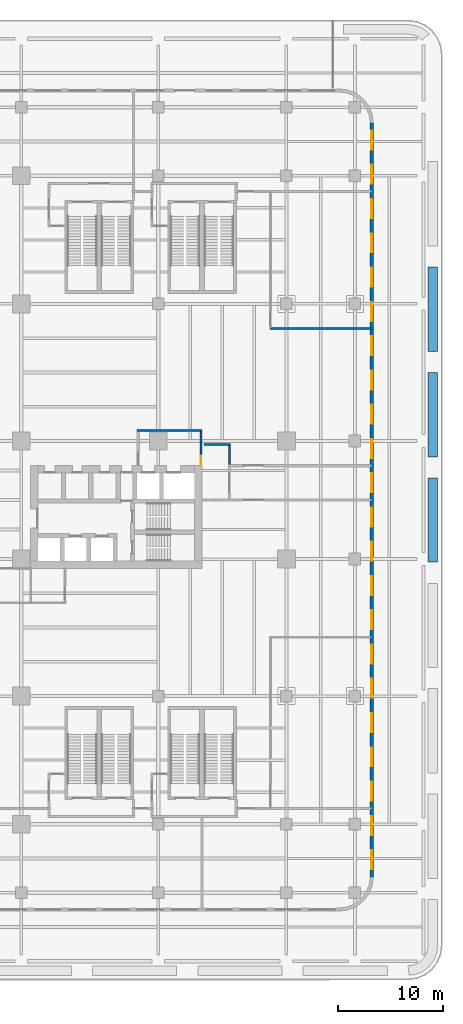
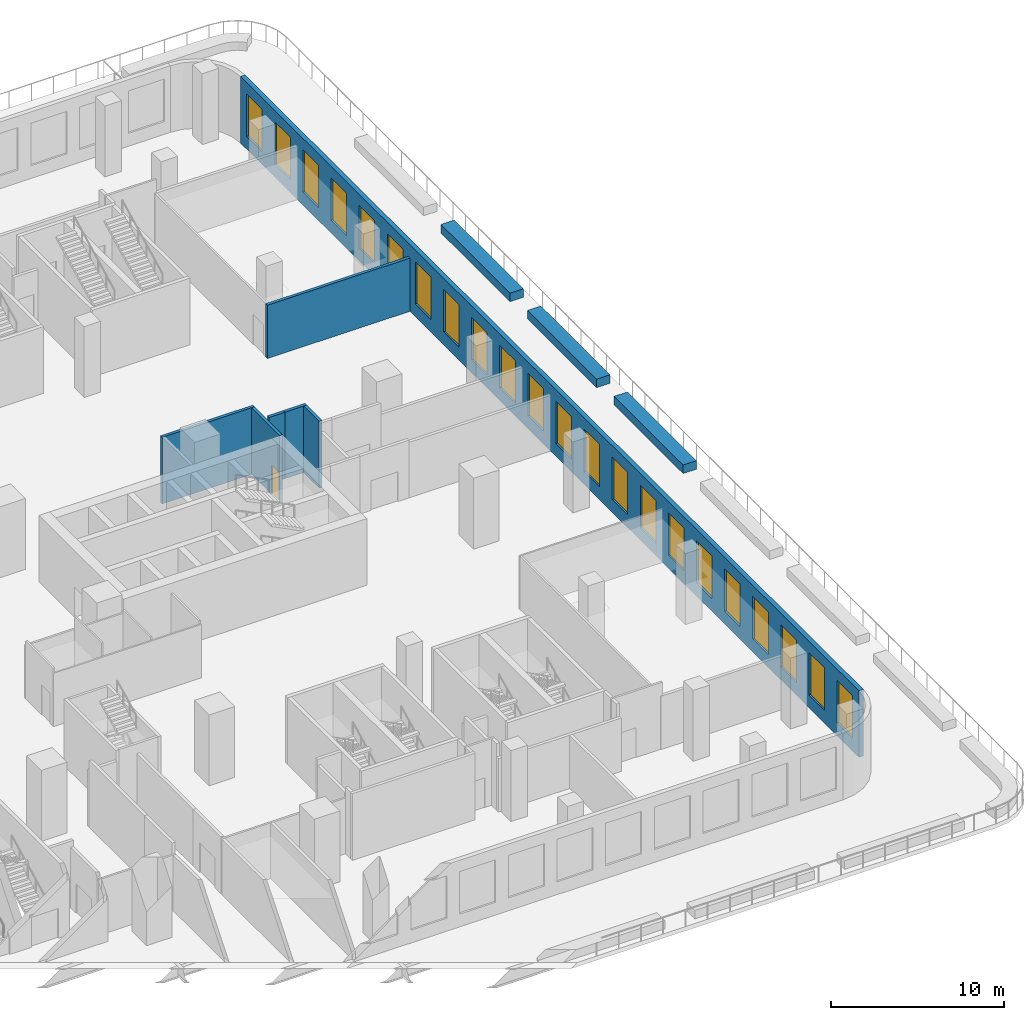
# One storey, part 12 of 18: 22 windows, 10 walls, 1 door, 23 openings.
"""IFC4 building model written with IfcOpenShell, lengths in metres."""

import ifcopenshell
import ifcopenshell.guid

model = None  # the IFC model being written
_history = None  # IfcOwnerHistory: only IFC2X3 demands one
_inside = {}  # id of a spatial element -> (the spatial element, [elements in it])
_under = {}  # id of a project, library or spatial element -> (it, [spatial elements below it])
_declared = {}  # id of a project -> (the project, [libraries it declares])
_typed = {}  # id of a type object -> (the type object, [elements of that type])
_made_of = {}  # id of a material, layer set ... -> (it, [elements and type objects made of it])


def new_model(schema):
    """Start an empty IFC model of exactly this schema.

    Asked for "IFC4X3", IfcOpenShell would pick the latest addendum, in which some entities
    have other attributes; the version numbers below select the first issue.
    IFC2X3 requires an IfcOwnerHistory on every rooted entity: one is made here for all.
    """
    global model, _history
    if schema == "IFC4X3":
        model = ifcopenshell.file(schema_version=(4, 3, 0, 0))
    else:
        model = ifcopenshell.file(schema=schema)
    _inside.clear()
    _under.clear()
    _declared.clear()
    _typed.clear()
    _made_of.clear()
    _history = None
    if model.schema == "IFC2X3":
        org = make("IfcOrganization", Name="unknown")
        user = make(
            "IfcPersonAndOrganization",
            ThePerson=make("IfcPerson", FamilyName="unknown"),
            TheOrganization=org,
        )
        app = make(
            "IfcApplication",
            ApplicationDeveloper=org,
            Version="unknown",
            ApplicationFullName="unknown",
            ApplicationIdentifier="unknown",
        )
        _history = make(
            "IfcOwnerHistory",
            OwningUser=user,
            OwningApplication=app,
            ChangeAction="ADDED",
            CreationDate=0,
        )
    return model


def make(cls, **values):
    """One entity of the class cls with the attributes given. An attribute that is None is left unset."""
    return model.create_entity(
        cls, **{name: value for name, value in values.items() if value is not None}
    )


def rooted(cls, **values):
    """An entity with a GlobalId (a new one), such as an element, a storey or a relation."""
    return make(cls, GlobalId=ifcopenshell.guid.new(), OwnerHistory=_history, **values)


def si_unit(unit_type, name, prefix=None):
    """IfcSIUnit, for example si_unit("LENGTHUNIT", "METRE", prefix="MILLI")."""
    return make("IfcSIUnit", UnitType=unit_type, Prefix=prefix, Name=name)


def assignment(units):
    """IfcUnitAssignment: the units of a project."""
    return None if units is None else make("IfcUnitAssignment", Units=units)


def point(xyz):
    """IfcCartesianPoint."""
    return None if xyz is None else make("IfcCartesianPoint", Coordinates=xyz)


def direction(xyz):
    """IfcDirection."""
    return None if xyz is None else make("IfcDirection", DirectionRatios=xyz)


def frame(location, z_axis=None, x_axis=None):
    """IfcAxis2Placement3D, a coordinate frame: its origin and axes. An axis left out is left unset."""
    return make(
        "IfcAxis2Placement3D",
        Location=point(location),
        Axis=direction(z_axis),
        RefDirection=direction(x_axis),
    )


def frame_2d(location, x_axis=None):
    """IfcAxis2Placement2D, a coordinate frame in the plane: its origin and x axis."""
    return make(
        "IfcAxis2Placement2D", Location=point(location), RefDirection=direction(x_axis)
    )


def origin():
    """The frame at (0, 0, 0) with its axes left unset."""
    return frame((0.0, 0.0, 0.0))


def place(relative_to, where):
    """IfcLocalPlacement: puts the frame where relative to a parent placement (None: the world)."""
    return make(
        "IfcLocalPlacement", PlacementRelTo=relative_to, RelativePlacement=where
    )


def context(
    kind, dimensions, precision=None, world=None, true_north=None, identifier=None
):
    """IfcGeometricRepresentationContext, for example the 3D "Model" context."""
    return make(
        "IfcGeometricRepresentationContext",
        ContextIdentifier=identifier,
        ContextType=kind,
        CoordinateSpaceDimension=dimensions,
        Precision=precision,
        WorldCoordinateSystem=world,
        TrueNorth=true_north,
    )


def subcontext(parent, identifier, kind, view, scale=None):
    """IfcGeometricRepresentationSubContext, for example "Body" below "Model"."""
    return make(
        "IfcGeometricRepresentationSubContext",
        ContextIdentifier=identifier,
        ContextType=kind,
        ParentContext=parent,
        TargetScale=scale,
        TargetView=view,
    )


def project(units=None, contexts=None):
    """IfcProject with its units and contexts."""
    return rooted(
        "IfcProject",
        Name="project",
        RepresentationContexts=contexts,
        UnitsInContext=assignment(units),
    )


def spatial(cls, under=None, at=None, **own):
    """A site, building, storey or space (cls), placed at a placement, below another one or the project."""
    s = rooted(cls, ObjectPlacement=at, **own)
    if under is not None:
        _under.setdefault(under.id(), (under, []))[1].append(s)
    return s


def polyline(points):
    """IfcPolyline through the points."""
    return make("IfcPolyline", Points=[point(p) for p in points])


def profile(cls, at=None, kind="AREA", **sizes):
    """A parametric profile (cls). Its sizes go by their IFC names, for example OverallWidth=200.0."""
    return make(cls, ProfileType=kind, Position=at, **sizes)


def rectangle(**sizes):
    """IfcRectangleProfileDef."""
    return profile("IfcRectangleProfileDef", **sizes)


def outline(outer, holes=None, kind="AREA"):
    """IfcArbitraryClosedProfileDef: a profile drawn as a closed curve; with holes, ...WithVoids."""
    if holes is None:
        return make("IfcArbitraryClosedProfileDef", ProfileType=kind, OuterCurve=outer)
    return make(
        "IfcArbitraryProfileDefWithVoids",
        ProfileType=kind,
        OuterCurve=outer,
        InnerCurves=holes,
    )


def extrude(swept, where, along, depth):
    """IfcExtrudedAreaSolid: the profile swept, set in the frame where, extruded along a direction by depth."""
    return make(
        "IfcExtrudedAreaSolid",
        SweptArea=swept,
        Position=where,
        ExtrudedDirection=direction(along),
        Depth=depth,
    )


def shape(context_of_items, identifier, shape_type, items):
    """IfcShapeRepresentation: the items that make up one representation, for example the "Body"."""
    return make(
        "IfcShapeRepresentation",
        ContextOfItems=context_of_items,
        RepresentationIdentifier=identifier,
        RepresentationType=shape_type,
        Items=items,
    )


def source(mapping_origin, context_of_items, identifier, shape_type, items):
    """IfcRepresentationMap: a shape defined once, which mapped items show again and again."""
    return make(
        "IfcRepresentationMap",
        MappingOrigin=mapping_origin,
        MappedRepresentation=shape(context_of_items, identifier, shape_type, items),
    )


def transform(
    local_origin,
    x_axis=None,
    y_axis=None,
    z_axis=None,
    scale=None,
    scale2=None,
    scale3=None,
    uniform=True,
):
    """IfcCartesianTransformationOperator3D, or its non-uniform kind. x_axis, y_axis, z_axis: its Axis1, 2, 3."""
    if uniform:
        return make(
            "IfcCartesianTransformationOperator3D",
            Axis1=direction(x_axis),
            Axis2=direction(y_axis),
            LocalOrigin=point(local_origin),
            Scale=scale,
            Axis3=direction(z_axis),
        )
    return make(
        "IfcCartesianTransformationOperator3DnonUniform",
        Axis1=direction(x_axis),
        Axis2=direction(y_axis),
        LocalOrigin=point(local_origin),
        Scale=scale,
        Axis3=direction(z_axis),
        Scale2=scale2,
        Scale3=scale3,
    )


def mapped(mapping_source, mapping_target):
    """IfcMappedItem: shows the shape of a source again, moved by a transform."""
    return make(
        "IfcMappedItem", MappingSource=mapping_source, MappingTarget=mapping_target
    )


def material(Name=None, Category=None):
    """IfcMaterial."""
    return make("IfcMaterial", Name=Name, Category=Category)


def layer(
    of_material, thickness, ventilated=None, Name=None, Category=None, Priority=None
):
    """IfcMaterialLayer: one layer of a wall or slab, of a material (None: an air gap)."""
    return make(
        "IfcMaterialLayer",
        Material=of_material,
        LayerThickness=thickness,
        IsVentilated=ventilated,
        Name=Name,
        Category=Category,
        Priority=Priority,
    )


def layer_set(layers, Name=None):
    """IfcMaterialLayerSet."""
    return make("IfcMaterialLayerSet", MaterialLayers=layers, LayerSetName=Name)


def made_of(thing, what):
    """Note that an element or type object is made of a material, layer set ...; save() writes the relation."""
    if what is not None:
        _made_of.setdefault(what.id(), (what, []))[1].append(thing)
    return thing


def type_object(cls, material=None, **own):
    """A type object (cls), such as IfcWallType, which elements share."""
    return made_of(rooted(cls, **own), material)


def element(
    cls,
    number,
    at=None,
    inside=None,
    cuts=None,
    type_object=None,
    material=None,
    context=None,
    identifier="Body",
    shape_type=None,
    held_by="IfcProductDefinitionShape",
    body=None,
    shapes=None,
    **own,
):
    """One element of the class cls, such as IfcWall. Its Tag is "e" and its number.

    at: its placement. inside: the storey or other place that contains it. cuts: it is an
    opening in that element (IfcRelVoidsElement). A single representation is given by context,
    identifier, shape_type and body (its items); several are given by shapes. held_by: the class
    of the entity that holds the representations. save() writes the other relations.
    """
    e = rooted(cls, Tag="e%d" % number, ObjectPlacement=at, **own)
    if body is not None:
        shapes = [shape(context, identifier, shape_type, body)]
    if shapes is not None:
        e.Representation = make(held_by, Representations=shapes)
    if inside is not None:
        _inside.setdefault(inside.id(), (inside, []))[1].append(e)
    if cuts is not None:
        rooted(
            "IfcRelVoidsElement", RelatingBuildingElement=cuts, RelatedOpeningElement=e
        )
    if type_object is not None:
        _typed.setdefault(type_object.id(), (type_object, []))[1].append(e)
    return made_of(e, material)


def fill(opening, filler):
    """IfcRelFillsElement: the door or window that sits in an opening."""
    return rooted(
        "IfcRelFillsElement",
        RelatingOpeningElement=opening,
        RelatedBuildingElement=filler,
    )


def aggregate(whole, parts):
    """IfcRelAggregates: a whole, such as a stair, and the parts it consists of."""
    return rooted("IfcRelAggregates", RelatingObject=whole, RelatedObjects=parts)


def save(model, path):
    """Write the relations noted so far, then the file.

    IfcRelAggregates (storeys below a building ...), IfcRelContainedInSpatialStructure (elements
    in a storey), IfcRelDefinesByType, IfcRelAssociatesMaterial and IfcRelDeclares: one each for
    every whole, place, type object, material and project.
    """
    for whole, parts in _under.values():
        aggregate(whole, parts)
    for where, things in _inside.values():
        rooted(
            "IfcRelContainedInSpatialStructure",
            RelatedElements=things,
            RelatingStructure=where,
        )
    for kind, things in _typed.values():
        rooted("IfcRelDefinesByType", RelatedObjects=things, RelatingType=kind)
    for what, things in _made_of.values():
        rooted("IfcRelAssociatesMaterial", RelatedObjects=things, RelatingMaterial=what)
    for by, libraries in _declared.values():
        rooted("IfcRelDeclares", RelatingContext=by, RelatedDefinitions=libraries)
    model.write(path)


model = new_model("IFC4")

# Units and contexts
model_context = context("Model", 3, precision=1e-05, world=origin(), true_north=direction((0.0, 1.0)))
body_context = subcontext(model_context, "Body", "Model", "MODEL_VIEW")
ifc_project = project(units=[si_unit("LENGTHUNIT", "METRE"), si_unit("AREAUNIT", "SQUARE_METRE"), si_unit("VOLUMEUNIT", "CUBIC_METRE"), si_unit("PLANEANGLEUNIT", "RADIAN"), si_unit("MASSUNIT", "GRAM", prefix="KILO")], contexts=[model_context])

# Site, building, storey
site_placement = place(None, origin())
site = spatial("IfcSite", under=ifc_project, at=site_placement, CompositionType="ELEMENT")
building_placement = place(site_placement, origin())
building = spatial("IfcBuilding", under=site, at=building_placement, Name="Trellis Farm Tower", CompositionType="ELEMENT")
storey_placement = place(building_placement, frame((0.0, 0.0, 14.0)))
storey = spatial("IfcBuildingStorey", under=building, at=storey_placement, Name="L02", CompositionType="ELEMENT", Elevation=14.0)

# Walls
ifc_material_1 = material(Name="Sandstone faced masonry planter", Category="masonry")
ifc_layer_1 = layer(ifc_material_1, 0.89990234375)
ifc_layer_set_1 = layer_set([ifc_layer_1], Name="TERRACE PLANTER BED 900")
wall_type_1 = type_object("IfcWallType", Name="TERRACE PLANTER BED 900", PredefinedType="USERDEFINED", material=ifc_layer_set_1)
placement = place(storey_placement, origin())
element("IfcWall", 1, at=placement, inside=storey, type_object=wall_type_1, Name="PLANTER bed", ObjectType="PLANTER", PredefinedType="USERDEFINED", context=body_context, shape_type="SweptSolid", body=[
    extrude(outline(polyline([(44.199951171875, -5.9013671875), (44.199951171875, 2.0986328125), (45.10009765625, 2.0986328125), (45.10009765625, -5.9013671875), (44.199951171875, -5.9013671875)])), origin(), (0.0, 0.0, 1.0), 0.60009765625),
])
element("IfcWall", 2, at=placement, inside=storey, type_object=wall_type_1, Name="PLANTER bed", ObjectType="PLANTER", PredefinedType="USERDEFINED", context=body_context, shape_type="SweptSolid", body=[
    extrude(outline(polyline([(44.199951171875, 4.0986328125), (44.199951171875, 12.0986328125), (45.10009765625, 12.0986328125), (45.10009765625, 4.0986328125), (44.199951171875, 4.0986328125)])), origin(), (0.0, 0.0, 1.0), 0.60009765625),
])
element("IfcWall", 3, at=placement, inside=storey, type_object=wall_type_1, Name="PLANTER bed", ObjectType="PLANTER", PredefinedType="USERDEFINED", context=body_context, shape_type="SweptSolid", body=[
    extrude(outline(polyline([(44.199951171875, 14.0986328125), (44.199951171875, 22.0986328125), (45.10009765625, 22.0986328125), (45.10009765625, 14.0986328125), (44.199951171875, 14.0986328125)])), origin(), (0.0, 0.0, 1.0), 0.60009765625),
])

# Wall, opening, door
ifc_material_2 = material(Name="Masonry blockwork", Category="masonry")
ifc_layer_2 = layer(ifc_material_2, 0.199951171875)
ifc_layer_set_2 = layer_set([ifc_layer_2], Name="FIRE LOBBY PARTITION 200 BLOCKWORK")
wall_type_2 = type_object("IfcWallType", Name="FIRE LOBBY PARTITION 200 BLOCKWORK", PredefinedType="PARTITIONING", material=ifc_layer_set_2)
shared_shape_1 = source(origin(), body_context, "Body", "SweptSolid", [
    extrude(rectangle(XDim=3.25, YDim=0.199951171875, at=frame_2d((1.625, 0.0))), origin(), (0.0, 0.0, 1.0), 4.699951171875),
])
wall_4_placement = place(storey_placement, frame((22.64990234375, 3.25, 0.0), z_axis=(0.0, 0.0, 1.0), x_axis=(0.0, 1.0, 0.0)))
wall_4 = element("IfcWall", 4, at=wall_4_placement, inside=storey, type_object=wall_type_2, Name="Fire-fighting lobby partition", PredefinedType="PARTITIONING", context=body_context, shape_type="MappedRepresentation", body=[
    mapped(shared_shape_1, transform((0.0, 0.0, 0.0))),
])
shared_shape_2 = source(origin(), body_context, "Body", "SweptSolid", [
    extrude(rectangle(XDim=0.89990234375, YDim=2.10009765625, at=frame_2d((0.449951171875, 1.050048828125))), frame((0.0, 0.110107421875, 0.0), z_axis=(0.0, -1.0, 0.0), x_axis=(1.0, 0.0, 0.0)), (0.0, 0.0, 1.0), 0.22021484375),
])
opening_1_placement = place(wall_4_placement, frame((0.050048828125, 0.0, 0.0)))
opening_1 = element("IfcOpeningElement", 5, at=opening_1_placement, cuts=wall_4, Name="Opening DC8", PredefinedType="OPENING", context=body_context, shape_type="MappedRepresentation", body=[
    mapped(shared_shape_2, transform((0.0, 0.0, 0.0))),
])
ifc_material_3 = material(Name="Steel", Category="steel")
door_type = type_object("IfcDoorType", Name="CORE FIRE DOOR 900 X 2100", OperationType="NOTDEFINED", PredefinedType="DOOR", material=ifc_material_3)
shared_shape_3 = source(origin(), body_context, "Body", "SweptSolid", [
    extrude(rectangle(XDim=0.89990234375, YDim=2.10009765625, at=frame_2d((0.449951171875, 1.050048828125))), frame((0.0, 0.02490234375, 0.0), z_axis=(0.0, -1.0, 0.0), x_axis=(1.0, 0.0, 0.0)), (0.0, 0.0, 1.0), 0.050048828125),
])
door_placement = place(opening_1_placement, origin())
door = element("IfcDoor", 6, at=door_placement, inside=storey, type_object=door_type, Name="Core door", OperationType="SINGLE_SWING_RIGHT", OverallHeight=2.10009765625, OverallWidth=0.89990234375, PredefinedType="DOOR", context=body_context, shape_type="MappedRepresentation", body=[
    mapped(shared_shape_3, transform((0.0, 0.0, 0.0))),
])
fill(opening_1, door)

# Wall
shared_shape_4 = source(origin(), body_context, "Body", "SweptSolid", [
    extrude(rectangle(XDim=6.14990234375, YDim=0.199951171875, at=frame_2d((3.074951171875, 0.0))), origin(), (0.0, 0.0, 1.0), 4.699951171875),
])
wall_5_placement = place(storey_placement, frame((16.60009765625, 6.60009765625, 0.0), z_axis=(0.0, 0.0, 1.0), x_axis=(1.0, 0.0, 0.0)))
element("IfcWall", 7, at=wall_5_placement, inside=storey, type_object=wall_type_2, Name="Fire-fighting lobby partition", PredefinedType="PARTITIONING", context=body_context, shape_type="MappedRepresentation", body=[
    mapped(shared_shape_4, transform((0.0, 0.0, 0.0))),
])

# Wall, openings, windows
ifc_material_4 = material(Name="Sandstone faced insulated wall", Category="masonry")
ifc_layer_3 = layer(ifc_material_4, 0.300048828125)
ifc_layer_set_3 = layer_set([ifc_layer_3], Name="STONE CLAD EXTERNAL WALL 300")
wall_type_3 = type_object("IfcWallType", Name="STONE CLAD EXTERNAL WALL 300", PredefinedType="SOLIDWALL", material=ifc_layer_set_3)
shared_shape_5 = source(origin(), body_context, "Body", "SweptSolid", [
    extrude(rectangle(XDim=71.5, YDim=0.300048828125, at=frame_2d((35.75, 0.0))), origin(), (0.0, 0.0, 1.0), 4.699951171875),
])
wall_6_placement = place(storey_placement, frame((38.85009765625, -35.75, 0.0), z_axis=(0.0, 0.0, 1.0), x_axis=(0.0, 1.0, 0.0)))
wall_6 = element("IfcWall", 8, at=wall_6_placement, inside=storey, type_object=wall_type_3, Name="EW2 F01", PredefinedType="SOLIDWALL", context=body_context, shape_type="MappedRepresentation", body=[
    mapped(shared_shape_5, transform((0.0, 0.0, 0.0))),
])
shared_shape_6 = source(origin(), body_context, "Body", "SweptSolid", [
    extrude(rectangle(XDim=1.800048828125, YDim=3.0, at=frame_2d((0.89990234375, 1.5))), frame((0.0, 0.16015625, 0.0), z_axis=(0.0, -1.0, 0.0), x_axis=(1.0, 0.0, 0.0)), (0.0, 0.0, 1.0), 0.3203125),
])
opening_2_placement = place(wall_6_placement, frame((0.72509765625, 0.0, 0.89990234375)))
opening_2 = element("IfcOpeningElement", 9, at=opening_2_placement, cuts=wall_6, Name="Opening WN2", PredefinedType="OPENING", context=body_context, shape_type="MappedRepresentation", body=[
    mapped(shared_shape_6, transform((0.0, 0.0, 0.0))),
])
opening_3_placement = place(wall_6_placement, frame((3.97509765625, 0.0, 0.89990234375)))
opening_3 = element("IfcOpeningElement", 10, at=opening_3_placement, cuts=wall_6, Name="Opening WN2", PredefinedType="OPENING", context=body_context, shape_type="MappedRepresentation", body=[
    mapped(shared_shape_6, transform((0.0, 0.0, 0.0))),
])
opening_4_placement = place(wall_6_placement, frame((7.22509765625, 0.0, 0.89990234375)))
opening_4 = element("IfcOpeningElement", 11, at=opening_4_placement, cuts=wall_6, Name="Opening WN2", PredefinedType="OPENING", context=body_context, shape_type="MappedRepresentation", body=[
    mapped(shared_shape_6, transform((0.0, 0.0, 0.0))),
])
opening_5_placement = place(wall_6_placement, frame((10.47509765625, 0.0, 0.89990234375)))
opening_5 = element("IfcOpeningElement", 12, at=opening_5_placement, cuts=wall_6, Name="Opening WN2", PredefinedType="OPENING", context=body_context, shape_type="MappedRepresentation", body=[
    mapped(shared_shape_6, transform((0.0, 0.0, 0.0))),
])
opening_6_placement = place(wall_6_placement, frame((13.72509765625, 0.0, 0.89990234375)))
opening_6 = element("IfcOpeningElement", 13, at=opening_6_placement, cuts=wall_6, Name="Opening WN2", PredefinedType="OPENING", context=body_context, shape_type="MappedRepresentation", body=[
    mapped(shared_shape_6, transform((0.0, 0.0, 0.0))),
])
opening_7_placement = place(wall_6_placement, frame((16.97509765625, 0.0, 0.89990234375)))
opening_7 = element("IfcOpeningElement", 14, at=opening_7_placement, cuts=wall_6, Name="Opening WN2", PredefinedType="OPENING", context=body_context, shape_type="MappedRepresentation", body=[
    mapped(shared_shape_6, transform((0.0, 0.0, 0.0))),
])
opening_8_placement = place(wall_6_placement, frame((20.22509765625, 0.0, 0.89990234375)))
opening_8 = element("IfcOpeningElement", 15, at=opening_8_placement, cuts=wall_6, Name="Opening WN2", PredefinedType="OPENING", context=body_context, shape_type="MappedRepresentation", body=[
    mapped(shared_shape_6, transform((0.0, 0.0, 0.0))),
])
opening_9_placement = place(wall_6_placement, frame((23.47509765625, 0.0, 0.89990234375)))
opening_9 = element("IfcOpeningElement", 16, at=opening_9_placement, cuts=wall_6, Name="Opening WN2", PredefinedType="OPENING", context=body_context, shape_type="MappedRepresentation", body=[
    mapped(shared_shape_6, transform((0.0, 0.0, 0.0))),
])
opening_10_placement = place(wall_6_placement, frame((26.72509765625, 0.0, 0.89990234375)))
opening_10 = element("IfcOpeningElement", 17, at=opening_10_placement, cuts=wall_6, Name="Opening WN2", PredefinedType="OPENING", context=body_context, shape_type="MappedRepresentation", body=[
    mapped(shared_shape_6, transform((0.0, 0.0, 0.0))),
])
opening_11_placement = place(wall_6_placement, frame((29.97509765625, 0.0, 0.89990234375)))
opening_11 = element("IfcOpeningElement", 18, at=opening_11_placement, cuts=wall_6, Name="Opening WN2", PredefinedType="OPENING", context=body_context, shape_type="MappedRepresentation", body=[
    mapped(shared_shape_6, transform((0.0, 0.0, 0.0))),
])
opening_12_placement = place(wall_6_placement, frame((33.22509765625, 0.0, 0.89990234375)))
opening_12 = element("IfcOpeningElement", 19, at=opening_12_placement, cuts=wall_6, Name="Opening WN2", PredefinedType="OPENING", context=body_context, shape_type="MappedRepresentation", body=[
    mapped(shared_shape_6, transform((0.0, 0.0, 0.0))),
])
opening_13_placement = place(wall_6_placement, frame((36.47509765625, 0.0, 0.89990234375)))
opening_13 = element("IfcOpeningElement", 20, at=opening_13_placement, cuts=wall_6, Name="Opening WN2", PredefinedType="OPENING", context=body_context, shape_type="MappedRepresentation", body=[
    mapped(shared_shape_6, transform((0.0, 0.0, 0.0))),
])
opening_14_placement = place(wall_6_placement, frame((39.72509765625, 0.0, 0.89990234375)))
opening_14 = element("IfcOpeningElement", 21, at=opening_14_placement, cuts=wall_6, Name="Opening WN2", PredefinedType="OPENING", context=body_context, shape_type="MappedRepresentation", body=[
    mapped(shared_shape_6, transform((0.0, 0.0, 0.0))),
])
opening_15_placement = place(wall_6_placement, frame((42.97509765625, 0.0, 0.89990234375)))
opening_15 = element("IfcOpeningElement", 22, at=opening_15_placement, cuts=wall_6, Name="Opening WN2", PredefinedType="OPENING", context=body_context, shape_type="MappedRepresentation", body=[
    mapped(shared_shape_6, transform((0.0, 0.0, 0.0))),
])
opening_16_placement = place(wall_6_placement, frame((46.22509765625, 0.0, 0.89990234375)))
opening_16 = element("IfcOpeningElement", 23, at=opening_16_placement, cuts=wall_6, Name="Opening WN2", PredefinedType="OPENING", context=body_context, shape_type="MappedRepresentation", body=[
    mapped(shared_shape_6, transform((0.0, 0.0, 0.0))),
])
opening_17_placement = place(wall_6_placement, frame((49.47509765625, 0.0, 0.89990234375)))
opening_17 = element("IfcOpeningElement", 24, at=opening_17_placement, cuts=wall_6, Name="Opening WN2", PredefinedType="OPENING", context=body_context, shape_type="MappedRepresentation", body=[
    mapped(shared_shape_6, transform((0.0, 0.0, 0.0))),
])
opening_18_placement = place(wall_6_placement, frame((52.72509765625, 0.0, 0.89990234375)))
opening_18 = element("IfcOpeningElement", 25, at=opening_18_placement, cuts=wall_6, Name="Opening WN2", PredefinedType="OPENING", context=body_context, shape_type="MappedRepresentation", body=[
    mapped(shared_shape_6, transform((0.0, 0.0, 0.0))),
])
opening_19_placement = place(wall_6_placement, frame((55.97509765625, 0.0, 0.89990234375)))
opening_19 = element("IfcOpeningElement", 26, at=opening_19_placement, cuts=wall_6, Name="Opening WN2", PredefinedType="OPENING", context=body_context, shape_type="MappedRepresentation", body=[
    mapped(shared_shape_6, transform((0.0, 0.0, 0.0))),
])
opening_20_placement = place(wall_6_placement, frame((59.22509765625, 0.0, 0.89990234375)))
opening_20 = element("IfcOpeningElement", 27, at=opening_20_placement, cuts=wall_6, Name="Opening WN2", PredefinedType="OPENING", context=body_context, shape_type="MappedRepresentation", body=[
    mapped(shared_shape_6, transform((0.0, 0.0, 0.0))),
])
opening_21_placement = place(wall_6_placement, frame((62.47509765625, 0.0, 0.89990234375)))
opening_21 = element("IfcOpeningElement", 28, at=opening_21_placement, cuts=wall_6, Name="Opening WN2", PredefinedType="OPENING", context=body_context, shape_type="MappedRepresentation", body=[
    mapped(shared_shape_6, transform((0.0, 0.0, 0.0))),
])
opening_22_placement = place(wall_6_placement, frame((65.72509765625, 0.0, 0.89990234375)))
opening_22 = element("IfcOpeningElement", 29, at=opening_22_placement, cuts=wall_6, Name="Opening WN2", PredefinedType="OPENING", context=body_context, shape_type="MappedRepresentation", body=[
    mapped(shared_shape_6, transform((0.0, 0.0, 0.0))),
])
opening_23_placement = place(wall_6_placement, frame((68.97509765625, 0.0, 0.89990234375)))
opening_23 = element("IfcOpeningElement", 30, at=opening_23_placement, cuts=wall_6, Name="Opening WN2", PredefinedType="OPENING", context=body_context, shape_type="MappedRepresentation", body=[
    mapped(shared_shape_6, transform((0.0, 0.0, 0.0))),
])
ifc_material_5 = material(Name="Clear insulated glass", Category="glass")
window_type = type_object("IfcWindowType", Name="PODIUM WINDOW 1800x3000", PartitioningType="SINGLE_PANEL", PredefinedType="WINDOW", material=ifc_material_5)
shared_shape_7 = source(origin(), body_context, "Body", "SweptSolid", [
    extrude(rectangle(XDim=1.800048828125, YDim=3.0, at=frame_2d((0.89990234375, 1.5))), frame((0.0, 0.030029296875, 0.0), z_axis=(0.0, -1.0, 0.0), x_axis=(1.0, 0.0, 0.0)), (0.0, 0.0, 1.0), 0.06005859375),
])
window_1_placement = place(opening_2_placement, origin())
window_1 = element("IfcWindow", 31, at=window_1_placement, inside=storey, type_object=window_type, Name="WN2 001", OverallHeight=3.0, OverallWidth=1.800048828125, PartitioningType="SINGLE_PANEL", PredefinedType="WINDOW", context=body_context, shape_type="MappedRepresentation", body=[
    mapped(shared_shape_7, transform((0.0, 0.0, 0.0))),
])
fill(opening_2, window_1)
window_2_placement = place(opening_3_placement, origin())
window_2 = element("IfcWindow", 32, at=window_2_placement, inside=storey, type_object=window_type, Name="WN2 002", OverallHeight=3.0, OverallWidth=1.800048828125, PartitioningType="SINGLE_PANEL", PredefinedType="WINDOW", context=body_context, shape_type="MappedRepresentation", body=[
    mapped(shared_shape_7, transform((0.0, 0.0, 0.0))),
])
fill(opening_3, window_2)
window_3_placement = place(opening_4_placement, origin())
window_3 = element("IfcWindow", 33, at=window_3_placement, inside=storey, type_object=window_type, Name="WN2 003", OverallHeight=3.0, OverallWidth=1.800048828125, PartitioningType="SINGLE_PANEL", PredefinedType="WINDOW", context=body_context, shape_type="MappedRepresentation", body=[
    mapped(shared_shape_7, transform((0.0, 0.0, 0.0))),
])
fill(opening_4, window_3)
window_4_placement = place(opening_5_placement, origin())
window_4 = element("IfcWindow", 34, at=window_4_placement, inside=storey, type_object=window_type, Name="WN2 004", OverallHeight=3.0, OverallWidth=1.800048828125, PartitioningType="SINGLE_PANEL", PredefinedType="WINDOW", context=body_context, shape_type="MappedRepresentation", body=[
    mapped(shared_shape_7, transform((0.0, 0.0, 0.0))),
])
fill(opening_5, window_4)
window_5_placement = place(opening_6_placement, origin())
window_5 = element("IfcWindow", 35, at=window_5_placement, inside=storey, type_object=window_type, Name="WN2 005", OverallHeight=3.0, OverallWidth=1.800048828125, PartitioningType="SINGLE_PANEL", PredefinedType="WINDOW", context=body_context, shape_type="MappedRepresentation", body=[
    mapped(shared_shape_7, transform((0.0, 0.0, 0.0))),
])
fill(opening_6, window_5)
window_6_placement = place(opening_7_placement, origin())
window_6 = element("IfcWindow", 36, at=window_6_placement, inside=storey, type_object=window_type, Name="WN2 006", OverallHeight=3.0, OverallWidth=1.800048828125, PartitioningType="SINGLE_PANEL", PredefinedType="WINDOW", context=body_context, shape_type="MappedRepresentation", body=[
    mapped(shared_shape_7, transform((0.0, 0.0, 0.0))),
])
fill(opening_7, window_6)
window_7_placement = place(opening_8_placement, origin())
window_7 = element("IfcWindow", 37, at=window_7_placement, inside=storey, type_object=window_type, Name="WN2 007", OverallHeight=3.0, OverallWidth=1.800048828125, PartitioningType="SINGLE_PANEL", PredefinedType="WINDOW", context=body_context, shape_type="MappedRepresentation", body=[
    mapped(shared_shape_7, transform((0.0, 0.0, 0.0))),
])
fill(opening_8, window_7)
window_8_placement = place(opening_9_placement, origin())
window_8 = element("IfcWindow", 38, at=window_8_placement, inside=storey, type_object=window_type, Name="WN2 008", OverallHeight=3.0, OverallWidth=1.800048828125, PartitioningType="SINGLE_PANEL", PredefinedType="WINDOW", context=body_context, shape_type="MappedRepresentation", body=[
    mapped(shared_shape_7, transform((0.0, 0.0, 0.0))),
])
fill(opening_9, window_8)
window_9_placement = place(opening_10_placement, origin())
window_9 = element("IfcWindow", 39, at=window_9_placement, inside=storey, type_object=window_type, Name="WN2 009", OverallHeight=3.0, OverallWidth=1.800048828125, PartitioningType="SINGLE_PANEL", PredefinedType="WINDOW", context=body_context, shape_type="MappedRepresentation", body=[
    mapped(shared_shape_7, transform((0.0, 0.0, 0.0))),
])
fill(opening_10, window_9)
window_10_placement = place(opening_11_placement, origin())
window_10 = element("IfcWindow", 40, at=window_10_placement, inside=storey, type_object=window_type, Name="WN2 010", OverallHeight=3.0, OverallWidth=1.800048828125, PartitioningType="SINGLE_PANEL", PredefinedType="WINDOW", context=body_context, shape_type="MappedRepresentation", body=[
    mapped(shared_shape_7, transform((0.0, 0.0, 0.0))),
])
fill(opening_11, window_10)
window_11_placement = place(opening_12_placement, origin())
window_11 = element("IfcWindow", 41, at=window_11_placement, inside=storey, type_object=window_type, Name="WN2 011", OverallHeight=3.0, OverallWidth=1.800048828125, PartitioningType="SINGLE_PANEL", PredefinedType="WINDOW", context=body_context, shape_type="MappedRepresentation", body=[
    mapped(shared_shape_7, transform((0.0, 0.0, 0.0))),
])
fill(opening_12, window_11)
window_12_placement = place(opening_13_placement, origin())
window_12 = element("IfcWindow", 42, at=window_12_placement, inside=storey, type_object=window_type, Name="WN2 012", OverallHeight=3.0, OverallWidth=1.800048828125, PartitioningType="SINGLE_PANEL", PredefinedType="WINDOW", context=body_context, shape_type="MappedRepresentation", body=[
    mapped(shared_shape_7, transform((0.0, 0.0, 0.0))),
])
fill(opening_13, window_12)
window_13_placement = place(opening_14_placement, origin())
window_13 = element("IfcWindow", 43, at=window_13_placement, inside=storey, type_object=window_type, Name="WN2 013", OverallHeight=3.0, OverallWidth=1.800048828125, PartitioningType="SINGLE_PANEL", PredefinedType="WINDOW", context=body_context, shape_type="MappedRepresentation", body=[
    mapped(shared_shape_7, transform((0.0, 0.0, 0.0))),
])
fill(opening_14, window_13)
window_14_placement = place(opening_15_placement, origin())
window_14 = element("IfcWindow", 44, at=window_14_placement, inside=storey, type_object=window_type, Name="WN2 014", OverallHeight=3.0, OverallWidth=1.800048828125, PartitioningType="SINGLE_PANEL", PredefinedType="WINDOW", context=body_context, shape_type="MappedRepresentation", body=[
    mapped(shared_shape_7, transform((0.0, 0.0, 0.0))),
])
fill(opening_15, window_14)
window_15_placement = place(opening_16_placement, origin())
window_15 = element("IfcWindow", 45, at=window_15_placement, inside=storey, type_object=window_type, Name="WN2 015", OverallHeight=3.0, OverallWidth=1.800048828125, PartitioningType="SINGLE_PANEL", PredefinedType="WINDOW", context=body_context, shape_type="MappedRepresentation", body=[
    mapped(shared_shape_7, transform((0.0, 0.0, 0.0))),
])
fill(opening_16, window_15)
window_16_placement = place(opening_17_placement, origin())
window_16 = element("IfcWindow", 46, at=window_16_placement, inside=storey, type_object=window_type, Name="WN2 016", OverallHeight=3.0, OverallWidth=1.800048828125, PartitioningType="SINGLE_PANEL", PredefinedType="WINDOW", context=body_context, shape_type="MappedRepresentation", body=[
    mapped(shared_shape_7, transform((0.0, 0.0, 0.0))),
])
fill(opening_17, window_16)
window_17_placement = place(opening_18_placement, origin())
window_17 = element("IfcWindow", 47, at=window_17_placement, inside=storey, type_object=window_type, Name="WN2 017", OverallHeight=3.0, OverallWidth=1.800048828125, PartitioningType="SINGLE_PANEL", PredefinedType="WINDOW", context=body_context, shape_type="MappedRepresentation", body=[
    mapped(shared_shape_7, transform((0.0, 0.0, 0.0))),
])
fill(opening_18, window_17)
window_18_placement = place(opening_19_placement, origin())
window_18 = element("IfcWindow", 48, at=window_18_placement, inside=storey, type_object=window_type, Name="WN2 018", OverallHeight=3.0, OverallWidth=1.800048828125, PartitioningType="SINGLE_PANEL", PredefinedType="WINDOW", context=body_context, shape_type="MappedRepresentation", body=[
    mapped(shared_shape_7, transform((0.0, 0.0, 0.0))),
])
fill(opening_19, window_18)
window_19_placement = place(opening_20_placement, origin())
window_19 = element("IfcWindow", 49, at=window_19_placement, inside=storey, type_object=window_type, Name="WN2 019", OverallHeight=3.0, OverallWidth=1.800048828125, PartitioningType="SINGLE_PANEL", PredefinedType="WINDOW", context=body_context, shape_type="MappedRepresentation", body=[
    mapped(shared_shape_7, transform((0.0, 0.0, 0.0))),
])
fill(opening_20, window_19)
window_20_placement = place(opening_21_placement, origin())
window_20 = element("IfcWindow", 50, at=window_20_placement, inside=storey, type_object=window_type, Name="WN2 020", OverallHeight=3.0, OverallWidth=1.800048828125, PartitioningType="SINGLE_PANEL", PredefinedType="WINDOW", context=body_context, shape_type="MappedRepresentation", body=[
    mapped(shared_shape_7, transform((0.0, 0.0, 0.0))),
])
fill(opening_21, window_20)
window_21_placement = place(opening_22_placement, origin())
window_21 = element("IfcWindow", 51, at=window_21_placement, inside=storey, type_object=window_type, Name="WN2 021", OverallHeight=3.0, OverallWidth=1.800048828125, PartitioningType="SINGLE_PANEL", PredefinedType="WINDOW", context=body_context, shape_type="MappedRepresentation", body=[
    mapped(shared_shape_7, transform((0.0, 0.0, 0.0))),
])
fill(opening_22, window_21)
window_22_placement = place(opening_23_placement, origin())
window_22 = element("IfcWindow", 52, at=window_22_placement, inside=storey, type_object=window_type, Name="WN2 022", OverallHeight=3.0, OverallWidth=1.800048828125, PartitioningType="SINGLE_PANEL", PredefinedType="WINDOW", context=body_context, shape_type="MappedRepresentation", body=[
    mapped(shared_shape_7, transform((0.0, 0.0, 0.0))),
])
fill(opening_23, window_22)

# Walls
ifc_material_6 = material(Name="Lightweight blockwork, plastered", Category="masonry")
ifc_layer_4 = layer(ifc_material_6, 0.199951171875)
ifc_layer_set_4 = layer_set([ifc_layer_4], Name="BLOCK WALL 200 EI 120")
wall_type_4 = type_object("IfcWallType", Name="BLOCK WALL 200 EI 120", PredefinedType="PARTITIONING", material=ifc_layer_set_4)
shared_shape_8 = source(origin(), body_context, "Body", "SweptSolid", [
    extrude(rectangle(XDim=1.7998046875, YDim=0.199951171875, at=frame_2d((0.89990234375, 0.0))), origin(), (0.0, 0.0, 1.0), 4.699951171875),
])
wall_7_placement = place(storey_placement, frame((25.35009765625, 3.35009765625, 0.0), z_axis=(0.0, 0.0, 1.0), x_axis=(0.0, 1.0, 0.0)))
element("IfcWall", 53, at=wall_7_placement, inside=storey, type_object=wall_type_4, Name="Partition PW3", PredefinedType="PARTITIONING", context=body_context, shape_type="MappedRepresentation", body=[
    mapped(shared_shape_8, transform((0.0, 0.0, 0.0))),
])
shared_shape_9 = source(origin(), body_context, "Body", "SweptSolid", [
    extrude(rectangle(XDim=9.612548828125, YDim=0.199951171875, at=frame_2d((4.80615234375, 0.0))), origin(), (0.0, 0.0, 1.0), 3.76171875),
])
wall_8_placement = place(storey_placement, frame((29.1875, 16.25, 0.0), z_axis=(0.0, 0.0, 1.0), x_axis=(1.0, 0.0, 0.0)))
element("IfcWall", 54, at=wall_8_placement, inside=storey, type_object=wall_type_4, Name="Partition PW3", PredefinedType="PARTITIONING", context=body_context, shape_type="MappedRepresentation", body=[
    mapped(shared_shape_9, transform((0.0, 0.0, 0.0))),
])
shared_shape_10 = source(origin(), body_context, "Body", "SweptSolid", [
    extrude(rectangle(XDim=1.050048828125, YDim=0.199951171875, at=frame_2d((0.52490234375, 0.0))), origin(), (0.0, 0.0, 1.0), 4.699951171875),
])
wall_9_placement = place(storey_placement, frame((22.949951171875, 5.25, 0.0), z_axis=(0.0, 0.0, 1.0), x_axis=(1.0, 0.0, 0.0)))
element("IfcWall", 55, at=wall_9_placement, inside=storey, type_object=wall_type_4, Name="Partition PW3", PredefinedType="PARTITIONING", context=body_context, shape_type="MappedRepresentation", body=[
    mapped(shared_shape_10, transform((0.0, 0.0, 0.0))),
])
shared_shape_11 = source(origin(), body_context, "Body", "SweptSolid", [
    extrude(rectangle(XDim=1.449951171875, YDim=0.199951171875, at=frame_2d((0.72509765625, 0.0))), origin(), (0.0, 0.0, 1.0), 4.699951171875),
])
wall_10_placement = place(storey_placement, frame((24.0, 5.25, 0.0), z_axis=(0.0, 0.0, 1.0), x_axis=(1.0, 0.0, 0.0)))
element("IfcWall", 56, at=wall_10_placement, inside=storey, type_object=wall_type_4, Name="Partition PW3", PredefinedType="PARTITIONING", context=body_context, shape_type="MappedRepresentation", body=[
    mapped(shared_shape_11, transform((0.0, 0.0, 0.0))),
])

save(model, "model.ifc")
